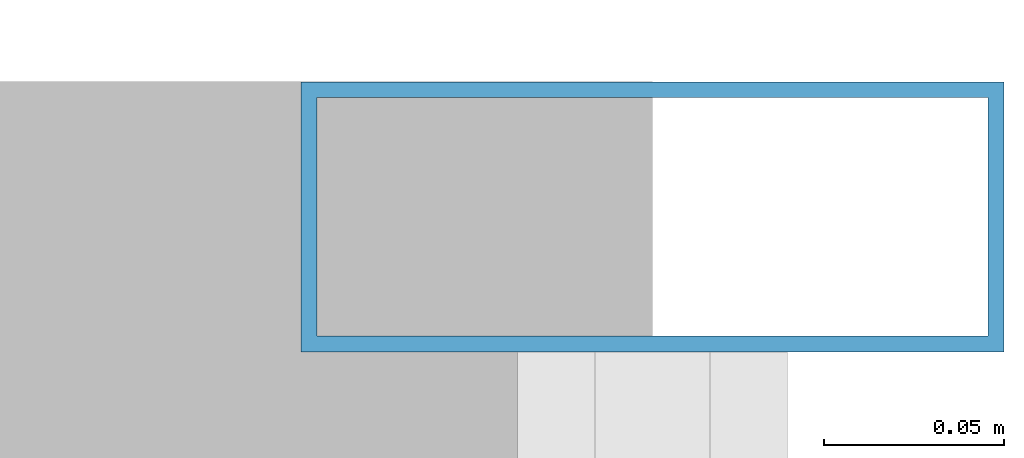
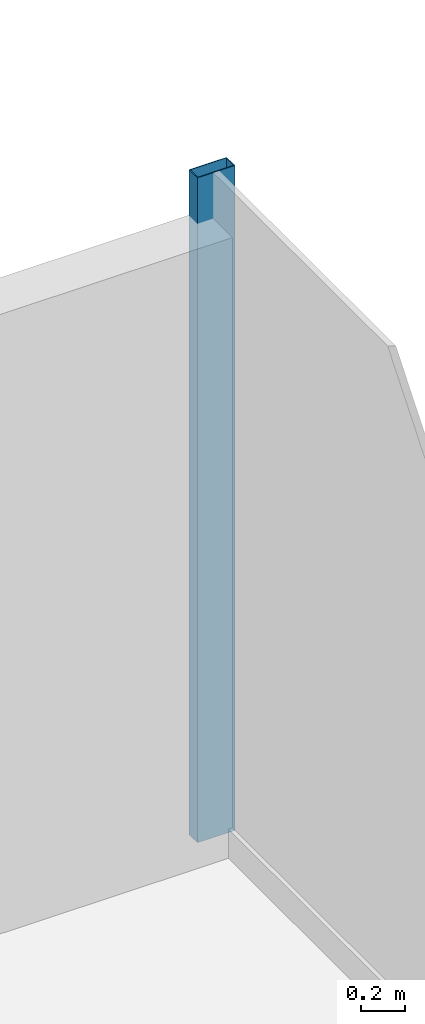
# One storey, part 18 of 25: 1 member, 1 element without a shape of its own.
"""IFC4 building model written with IfcOpenShell, lengths in metres."""

import ifcopenshell
import ifcopenshell.guid

model = None  # the IFC model being written
_history = None  # IfcOwnerHistory: only IFC2X3 demands one
_inside = {}  # id of a spatial element -> (the spatial element, [elements in it])
_under = {}  # id of a project, library or spatial element -> (it, [spatial elements below it])
_declared = {}  # id of a project -> (the project, [libraries it declares])
_typed = {}  # id of a type object -> (the type object, [elements of that type])
_made_of = {}  # id of a material, layer set ... -> (it, [elements and type objects made of it])


def new_model(schema):
    """Start an empty IFC model of exactly this schema.

    Asked for "IFC4X3", IfcOpenShell would pick the latest addendum, in which some entities
    have other attributes; the version numbers below select the first issue.
    IFC2X3 requires an IfcOwnerHistory on every rooted entity: one is made here for all.
    """
    global model, _history
    if schema == "IFC4X3":
        model = ifcopenshell.file(schema_version=(4, 3, 0, 0))
    else:
        model = ifcopenshell.file(schema=schema)
    _inside.clear()
    _under.clear()
    _declared.clear()
    _typed.clear()
    _made_of.clear()
    _history = None
    if model.schema == "IFC2X3":
        org = make("IfcOrganization", Name="unknown")
        user = make(
            "IfcPersonAndOrganization",
            ThePerson=make("IfcPerson", FamilyName="unknown"),
            TheOrganization=org,
        )
        app = make(
            "IfcApplication",
            ApplicationDeveloper=org,
            Version="unknown",
            ApplicationFullName="unknown",
            ApplicationIdentifier="unknown",
        )
        _history = make(
            "IfcOwnerHistory",
            OwningUser=user,
            OwningApplication=app,
            ChangeAction="ADDED",
            CreationDate=0,
        )
    return model


def make(cls, **values):
    """One entity of the class cls with the attributes given. An attribute that is None is left unset."""
    return model.create_entity(
        cls, **{name: value for name, value in values.items() if value is not None}
    )


def rooted(cls, **values):
    """An entity with a GlobalId (a new one), such as an element, a storey or a relation."""
    return make(cls, GlobalId=ifcopenshell.guid.new(), OwnerHistory=_history, **values)


def si_unit(unit_type, name, prefix=None):
    """IfcSIUnit, for example si_unit("LENGTHUNIT", "METRE", prefix="MILLI")."""
    return make("IfcSIUnit", UnitType=unit_type, Prefix=prefix, Name=name)


def derived_unit(unit_type, elements):
    """IfcDerivedUnit: a product of units, each with its exponent."""
    return make(
        "IfcDerivedUnit",
        Elements=[
            make("IfcDerivedUnitElement", Unit=unit, Exponent=power)
            for unit, power in elements
        ],
        UnitType=unit_type,
    )


def assignment(units):
    """IfcUnitAssignment: the units of a project."""
    return None if units is None else make("IfcUnitAssignment", Units=units)


def point(xyz):
    """IfcCartesianPoint."""
    return None if xyz is None else make("IfcCartesianPoint", Coordinates=xyz)


def direction(xyz):
    """IfcDirection."""
    return None if xyz is None else make("IfcDirection", DirectionRatios=xyz)


def frame(location, z_axis=None, x_axis=None):
    """IfcAxis2Placement3D, a coordinate frame: its origin and axes. An axis left out is left unset."""
    return make(
        "IfcAxis2Placement3D",
        Location=point(location),
        Axis=direction(z_axis),
        RefDirection=direction(x_axis),
    )


def frame_2d(location, x_axis=None):
    """IfcAxis2Placement2D, a coordinate frame in the plane: its origin and x axis."""
    return make(
        "IfcAxis2Placement2D", Location=point(location), RefDirection=direction(x_axis)
    )


def origin():
    """The frame at (0, 0, 0) with its axes left unset."""
    return frame((0.0, 0.0, 0.0))


def origin_2d():
    """The frame at (0, 0) in the plane with its x axis left unset."""
    return frame_2d((0.0, 0.0))


def place(relative_to, where):
    """IfcLocalPlacement: puts the frame where relative to a parent placement (None: the world)."""
    return make(
        "IfcLocalPlacement", PlacementRelTo=relative_to, RelativePlacement=where
    )


def context(
    kind, dimensions, precision=None, world=None, true_north=None, identifier=None
):
    """IfcGeometricRepresentationContext, for example the 3D "Model" context."""
    return make(
        "IfcGeometricRepresentationContext",
        ContextIdentifier=identifier,
        ContextType=kind,
        CoordinateSpaceDimension=dimensions,
        Precision=precision,
        WorldCoordinateSystem=world,
        TrueNorth=true_north,
    )


def subcontext(parent, identifier, kind, view, scale=None):
    """IfcGeometricRepresentationSubContext, for example "Body" below "Model"."""
    return make(
        "IfcGeometricRepresentationSubContext",
        ContextIdentifier=identifier,
        ContextType=kind,
        ParentContext=parent,
        TargetScale=scale,
        TargetView=view,
    )


def project(units=None, contexts=None):
    """IfcProject with its units and contexts."""
    return rooted(
        "IfcProject",
        Name="project",
        RepresentationContexts=contexts,
        UnitsInContext=assignment(units),
    )


def spatial(cls, under=None, at=None, **own):
    """A site, building, storey or space (cls), placed at a placement, below another one or the project."""
    s = rooted(cls, ObjectPlacement=at, **own)
    if under is not None:
        _under.setdefault(under.id(), (under, []))[1].append(s)
    return s


def profile(cls, at=None, kind="AREA", **sizes):
    """A parametric profile (cls). Its sizes go by their IFC names, for example OverallWidth=200.0."""
    return make(cls, ProfileType=kind, Position=at, **sizes)


def hollow_rectangle(**sizes):
    """IfcRectangleHollowProfileDef."""
    return profile("IfcRectangleHollowProfileDef", **sizes)


def extrude(swept, where, along, depth):
    """IfcExtrudedAreaSolid: the profile swept, set in the frame where, extruded along a direction by depth."""
    return make(
        "IfcExtrudedAreaSolid",
        SweptArea=swept,
        Position=where,
        ExtrudedDirection=direction(along),
        Depth=depth,
    )


def shape(context_of_items, identifier, shape_type, items):
    """IfcShapeRepresentation: the items that make up one representation, for example the "Body"."""
    return make(
        "IfcShapeRepresentation",
        ContextOfItems=context_of_items,
        RepresentationIdentifier=identifier,
        RepresentationType=shape_type,
        Items=items,
    )


def source(mapping_origin, context_of_items, identifier, shape_type, items):
    """IfcRepresentationMap: a shape defined once, which mapped items show again and again."""
    return make(
        "IfcRepresentationMap",
        MappingOrigin=mapping_origin,
        MappedRepresentation=shape(context_of_items, identifier, shape_type, items),
    )


def transform(
    local_origin,
    x_axis=None,
    y_axis=None,
    z_axis=None,
    scale=None,
    scale2=None,
    scale3=None,
    uniform=True,
):
    """IfcCartesianTransformationOperator3D, or its non-uniform kind. x_axis, y_axis, z_axis: its Axis1, 2, 3."""
    if uniform:
        return make(
            "IfcCartesianTransformationOperator3D",
            Axis1=direction(x_axis),
            Axis2=direction(y_axis),
            LocalOrigin=point(local_origin),
            Scale=scale,
            Axis3=direction(z_axis),
        )
    return make(
        "IfcCartesianTransformationOperator3DnonUniform",
        Axis1=direction(x_axis),
        Axis2=direction(y_axis),
        LocalOrigin=point(local_origin),
        Scale=scale,
        Axis3=direction(z_axis),
        Scale2=scale2,
        Scale3=scale3,
    )


def mapped(mapping_source, mapping_target):
    """IfcMappedItem: shows the shape of a source again, moved by a transform."""
    return make(
        "IfcMappedItem", MappingSource=mapping_source, MappingTarget=mapping_target
    )


def material(Name=None, Category=None):
    """IfcMaterial."""
    return make("IfcMaterial", Name=Name, Category=Category)


def material_profile(
    of_material, cross_section, Name=None, Category=None, Priority=None
):
    """IfcMaterialProfile: a cross section and its material."""
    return make(
        "IfcMaterialProfile",
        Name=Name,
        Material=of_material,
        Profile=cross_section,
        Priority=Priority,
        Category=Category,
    )


def profile_set(profiles, Name=None, composite=None):
    """IfcMaterialProfileSet."""
    return make(
        "IfcMaterialProfileSet",
        Name=Name,
        MaterialProfiles=profiles,
        CompositeProfile=composite,
    )


def made_of(thing, what):
    """Note that an element or type object is made of a material, layer set ...; save() writes the relation."""
    if what is not None:
        _made_of.setdefault(what.id(), (what, []))[1].append(thing)
    return thing


def type_object(cls, material=None, **own):
    """A type object (cls), such as IfcWallType, which elements share."""
    return made_of(rooted(cls, **own), material)


def element(
    cls,
    number,
    at=None,
    inside=None,
    cuts=None,
    type_object=None,
    material=None,
    context=None,
    identifier="Body",
    shape_type=None,
    held_by="IfcProductDefinitionShape",
    body=None,
    shapes=None,
    **own,
):
    """One element of the class cls, such as IfcWall. Its Tag is "e" and its number.

    at: its placement. inside: the storey or other place that contains it. cuts: it is an
    opening in that element (IfcRelVoidsElement). A single representation is given by context,
    identifier, shape_type and body (its items); several are given by shapes. held_by: the class
    of the entity that holds the representations. save() writes the other relations.
    """
    e = rooted(cls, Tag="e%d" % number, ObjectPlacement=at, **own)
    if body is not None:
        shapes = [shape(context, identifier, shape_type, body)]
    if shapes is not None:
        e.Representation = make(held_by, Representations=shapes)
    if inside is not None:
        _inside.setdefault(inside.id(), (inside, []))[1].append(e)
    if cuts is not None:
        rooted(
            "IfcRelVoidsElement", RelatingBuildingElement=cuts, RelatedOpeningElement=e
        )
    if type_object is not None:
        _typed.setdefault(type_object.id(), (type_object, []))[1].append(e)
    return made_of(e, material)


def aggregate(whole, parts):
    """IfcRelAggregates: a whole, such as a stair, and the parts it consists of."""
    return rooted("IfcRelAggregates", RelatingObject=whole, RelatedObjects=parts)


def save(model, path):
    """Write the relations noted so far, then the file.

    IfcRelAggregates (storeys below a building ...), IfcRelContainedInSpatialStructure (elements
    in a storey), IfcRelDefinesByType, IfcRelAssociatesMaterial and IfcRelDeclares: one each for
    every whole, place, type object, material and project.
    """
    for whole, parts in _under.values():
        aggregate(whole, parts)
    for where, things in _inside.values():
        rooted(
            "IfcRelContainedInSpatialStructure",
            RelatedElements=things,
            RelatingStructure=where,
        )
    for kind, things in _typed.values():
        rooted("IfcRelDefinesByType", RelatedObjects=things, RelatingType=kind)
    for what, things in _made_of.values():
        rooted("IfcRelAssociatesMaterial", RelatedObjects=things, RelatingMaterial=what)
    for by, libraries in _declared.values():
        rooted("IfcRelDeclares", RelatingContext=by, RelatedDefinitions=libraries)
    model.write(path)


model = new_model("IFC4")

# Units and contexts
model_context = context("Model", 3, precision=1e-05, world=origin(), true_north=direction((0.0, 1.0)))
body_context = subcontext(model_context, "Body", "Model", "MODEL_VIEW")
ifc_project = project(units=[si_unit("LENGTHUNIT", "METRE"), si_unit("AREAUNIT", "SQUARE_METRE"), si_unit("VOLUMEUNIT", "CUBIC_METRE"), si_unit("PLANEANGLEUNIT", "RADIAN"), si_unit("MASSUNIT", "GRAM", prefix="KILO"), derived_unit("THERMALTRANSMITTANCEUNIT", [(si_unit("POWERUNIT", "WATT"), 1), (si_unit("LENGTHUNIT", "METRE"), -2), (si_unit("THERMODYNAMICTEMPERATUREUNIT", "KELVIN"), -1)])], contexts=[model_context])

# Site, building, storey
site_placement = place(None, origin())
site = spatial("IfcSite", under=ifc_project, at=site_placement, CompositionType="ELEMENT")
building_placement = place(site_placement, origin())
building = spatial("IfcBuilding", under=site, at=building_placement, Name="Skarnbrae Concourse Arena and Tower", CompositionType="ELEMENT")
storey_placement = place(building_placement, frame((0.0, 0.0, 144.25)))
storey = spatial("IfcBuildingStorey", under=building, at=storey_placement, Name="L36", CompositionType="ELEMENT", Elevation=144.25)

# Curtain wall, member
ifc_material = material(Name="Bronze anodised aluminium 6063-T6", Category="aluminium")
curtain_wall_type = type_object("IfcCurtainWallType", Name="CW-SYS-04-MIDZONE", PredefinedType="USERDEFINED", material=ifc_material)
curtain_wall_placement = place(storey_placement, origin())
curtain_wall = element("IfcCurtainWall", 1, at=curtain_wall_placement, inside=storey, type_object=curtain_wall_type, Name="L36 Unitised curtain wall CW-L36-E04", ObjectType="UNITISED CURTAIN WALL", PredefinedType="USERDEFINED")
ifc_material_profile = material_profile(ifc_material, hollow_rectangle(XDim=0.074951171875, YDim=0.195068359375, WallThickness=0.00439453125, at=origin_2d()), Name="ALU-MULL-75X195")
ifc_profile_set = profile_set([ifc_material_profile], Name="Bronze anodised aluminium 6063-T6")
member_type = type_object("IfcMemberType", Name="CWM-CW-04", PredefinedType="MULLION", material=ifc_profile_set)
shared_shape = source(origin(), body_context, "Body", "SweptSolid", [
    extrude(hollow_rectangle(XDim=0.074951171875, YDim=0.195068359375, WallThickness=0.00439453125, at=origin_2d()), origin(), (0.0, 0.0, 1.0), 3.64990234375),
])
member_placement = place(storey_placement, frame((50.0, 32.96240234375, 0.0), z_axis=(0.0, 0.0, 1.0), x_axis=(0.0, 1.0, 0.0)))
member = element("IfcMember", 2, at=member_placement, type_object=member_type, Name="CW-L36-E04 Mullion 5", PredefinedType="MULLION", context=body_context, shape_type="MappedRepresentation", body=[
    mapped(shared_shape, transform((0.0, 0.0, 0.0))),
])
aggregate(curtain_wall, [member])

save(model, "model.ifc")
